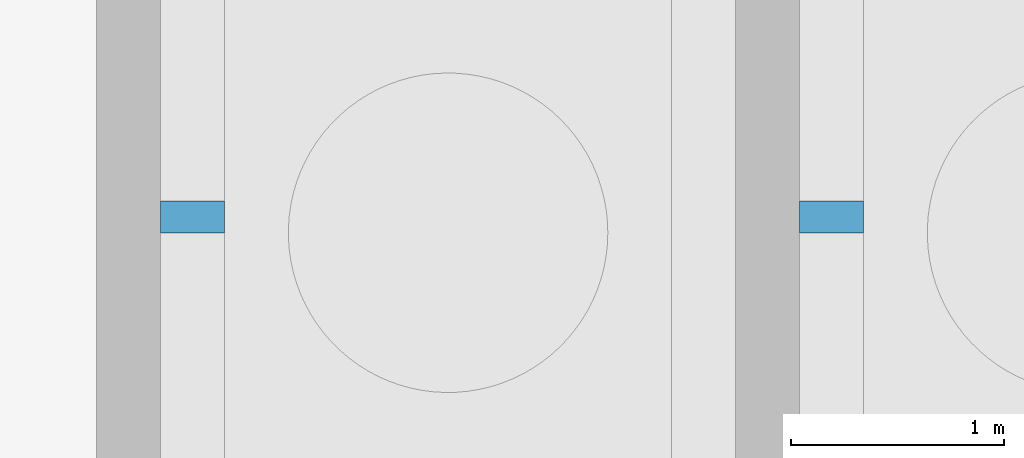
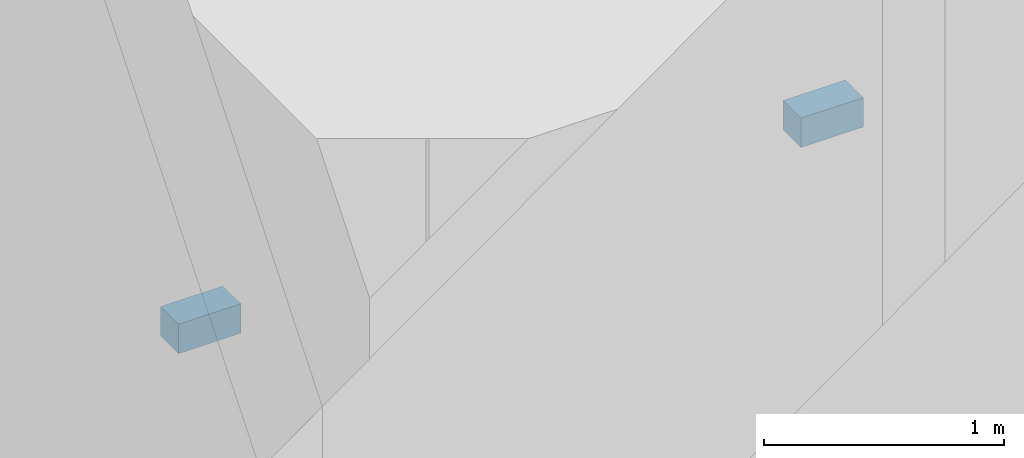
# One storey, part 8 of 10: 2 discrete accessories.
"""IFC4 building model written with IfcOpenShell, lengths in metres."""

import ifcopenshell
import ifcopenshell.guid

model = None  # the IFC model being written
_history = None  # IfcOwnerHistory: only IFC2X3 demands one
_inside = {}  # id of a spatial element -> (the spatial element, [elements in it])
_under = {}  # id of a project, library or spatial element -> (it, [spatial elements below it])
_declared = {}  # id of a project -> (the project, [libraries it declares])
_typed = {}  # id of a type object -> (the type object, [elements of that type])
_made_of = {}  # id of a material, layer set ... -> (it, [elements and type objects made of it])


def new_model(schema):
    """Start an empty IFC model of exactly this schema.

    Asked for "IFC4X3", IfcOpenShell would pick the latest addendum, in which some entities
    have other attributes; the version numbers below select the first issue.
    IFC2X3 requires an IfcOwnerHistory on every rooted entity: one is made here for all.
    """
    global model, _history
    if schema == "IFC4X3":
        model = ifcopenshell.file(schema_version=(4, 3, 0, 0))
    else:
        model = ifcopenshell.file(schema=schema)
    _inside.clear()
    _under.clear()
    _declared.clear()
    _typed.clear()
    _made_of.clear()
    _history = None
    if model.schema == "IFC2X3":
        org = make("IfcOrganization", Name="unknown")
        user = make(
            "IfcPersonAndOrganization",
            ThePerson=make("IfcPerson", FamilyName="unknown"),
            TheOrganization=org,
        )
        app = make(
            "IfcApplication",
            ApplicationDeveloper=org,
            Version="unknown",
            ApplicationFullName="unknown",
            ApplicationIdentifier="unknown",
        )
        _history = make(
            "IfcOwnerHistory",
            OwningUser=user,
            OwningApplication=app,
            ChangeAction="ADDED",
            CreationDate=0,
        )
    return model


def make(cls, **values):
    """One entity of the class cls with the attributes given. An attribute that is None is left unset."""
    return model.create_entity(
        cls, **{name: value for name, value in values.items() if value is not None}
    )


def rooted(cls, **values):
    """An entity with a GlobalId (a new one), such as an element, a storey or a relation."""
    return make(cls, GlobalId=ifcopenshell.guid.new(), OwnerHistory=_history, **values)


def si_unit(unit_type, name, prefix=None):
    """IfcSIUnit, for example si_unit("LENGTHUNIT", "METRE", prefix="MILLI")."""
    return make("IfcSIUnit", UnitType=unit_type, Prefix=prefix, Name=name)


def assignment(units):
    """IfcUnitAssignment: the units of a project."""
    return None if units is None else make("IfcUnitAssignment", Units=units)


def point(xyz):
    """IfcCartesianPoint."""
    return None if xyz is None else make("IfcCartesianPoint", Coordinates=xyz)


def direction(xyz):
    """IfcDirection."""
    return None if xyz is None else make("IfcDirection", DirectionRatios=xyz)


def frame(location, z_axis=None, x_axis=None):
    """IfcAxis2Placement3D, a coordinate frame: its origin and axes. An axis left out is left unset."""
    return make(
        "IfcAxis2Placement3D",
        Location=point(location),
        Axis=direction(z_axis),
        RefDirection=direction(x_axis),
    )


def frame_2d(location, x_axis=None):
    """IfcAxis2Placement2D, a coordinate frame in the plane: its origin and x axis."""
    return make(
        "IfcAxis2Placement2D", Location=point(location), RefDirection=direction(x_axis)
    )


def origin():
    """The frame at (0, 0, 0) with its axes left unset."""
    return frame((0.0, 0.0, 0.0))


def origin_2d():
    """The frame at (0, 0) in the plane with its x axis left unset."""
    return frame_2d((0.0, 0.0))


def place(relative_to, where):
    """IfcLocalPlacement: puts the frame where relative to a parent placement (None: the world)."""
    return make(
        "IfcLocalPlacement", PlacementRelTo=relative_to, RelativePlacement=where
    )


def context(
    kind, dimensions, precision=None, world=None, true_north=None, identifier=None
):
    """IfcGeometricRepresentationContext, for example the 3D "Model" context."""
    return make(
        "IfcGeometricRepresentationContext",
        ContextIdentifier=identifier,
        ContextType=kind,
        CoordinateSpaceDimension=dimensions,
        Precision=precision,
        WorldCoordinateSystem=world,
        TrueNorth=true_north,
    )


def subcontext(parent, identifier, kind, view, scale=None):
    """IfcGeometricRepresentationSubContext, for example "Body" below "Model"."""
    return make(
        "IfcGeometricRepresentationSubContext",
        ContextIdentifier=identifier,
        ContextType=kind,
        ParentContext=parent,
        TargetScale=scale,
        TargetView=view,
    )


def project(units=None, contexts=None):
    """IfcProject with its units and contexts."""
    return rooted(
        "IfcProject",
        Name="project",
        RepresentationContexts=contexts,
        UnitsInContext=assignment(units),
    )


def spatial(cls, under=None, at=None, **own):
    """A site, building, storey or space (cls), placed at a placement, below another one or the project."""
    s = rooted(cls, ObjectPlacement=at, **own)
    if under is not None:
        _under.setdefault(under.id(), (under, []))[1].append(s)
    return s


def profile(cls, at=None, kind="AREA", **sizes):
    """A parametric profile (cls). Its sizes go by their IFC names, for example OverallWidth=200.0."""
    return make(cls, ProfileType=kind, Position=at, **sizes)


def rectangle(**sizes):
    """IfcRectangleProfileDef."""
    return profile("IfcRectangleProfileDef", **sizes)


def extrude(swept, where, along, depth):
    """IfcExtrudedAreaSolid: the profile swept, set in the frame where, extruded along a direction by depth."""
    return make(
        "IfcExtrudedAreaSolid",
        SweptArea=swept,
        Position=where,
        ExtrudedDirection=direction(along),
        Depth=depth,
    )


def shape(context_of_items, identifier, shape_type, items):
    """IfcShapeRepresentation: the items that make up one representation, for example the "Body"."""
    return make(
        "IfcShapeRepresentation",
        ContextOfItems=context_of_items,
        RepresentationIdentifier=identifier,
        RepresentationType=shape_type,
        Items=items,
    )


def made_of(thing, what):
    """Note that an element or type object is made of a material, layer set ...; save() writes the relation."""
    if what is not None:
        _made_of.setdefault(what.id(), (what, []))[1].append(thing)
    return thing


def element(
    cls,
    number,
    at=None,
    inside=None,
    cuts=None,
    type_object=None,
    material=None,
    context=None,
    identifier="Body",
    shape_type=None,
    held_by="IfcProductDefinitionShape",
    body=None,
    shapes=None,
    **own,
):
    """One element of the class cls, such as IfcWall. Its Tag is "e" and its number.

    at: its placement. inside: the storey or other place that contains it. cuts: it is an
    opening in that element (IfcRelVoidsElement). A single representation is given by context,
    identifier, shape_type and body (its items); several are given by shapes. held_by: the class
    of the entity that holds the representations. save() writes the other relations.
    """
    e = rooted(cls, Tag="e%d" % number, ObjectPlacement=at, **own)
    if body is not None:
        shapes = [shape(context, identifier, shape_type, body)]
    if shapes is not None:
        e.Representation = make(held_by, Representations=shapes)
    if inside is not None:
        _inside.setdefault(inside.id(), (inside, []))[1].append(e)
    if cuts is not None:
        rooted(
            "IfcRelVoidsElement", RelatingBuildingElement=cuts, RelatedOpeningElement=e
        )
    if type_object is not None:
        _typed.setdefault(type_object.id(), (type_object, []))[1].append(e)
    return made_of(e, material)


def aggregate(whole, parts):
    """IfcRelAggregates: a whole, such as a stair, and the parts it consists of."""
    return rooted("IfcRelAggregates", RelatingObject=whole, RelatedObjects=parts)


def save(model, path):
    """Write the relations noted so far, then the file.

    IfcRelAggregates (storeys below a building ...), IfcRelContainedInSpatialStructure (elements
    in a storey), IfcRelDefinesByType, IfcRelAssociatesMaterial and IfcRelDeclares: one each for
    every whole, place, type object, material and project.
    """
    for whole, parts in _under.values():
        aggregate(whole, parts)
    for where, things in _inside.values():
        rooted(
            "IfcRelContainedInSpatialStructure",
            RelatedElements=things,
            RelatingStructure=where,
        )
    for kind, things in _typed.values():
        rooted("IfcRelDefinesByType", RelatedObjects=things, RelatingType=kind)
    for what, things in _made_of.values():
        rooted("IfcRelAssociatesMaterial", RelatedObjects=things, RelatingMaterial=what)
    for by, libraries in _declared.values():
        rooted("IfcRelDeclares", RelatingContext=by, RelatedDefinitions=libraries)
    model.write(path)


model = new_model("IFC4")

# Units and contexts
model_context = context("Model", 3, precision=1e-05, world=origin(), true_north=direction((0.0, 1.0)))
body_context = subcontext(model_context, "Body", "Model", "MODEL_VIEW")
ifc_project = project(units=[si_unit("LENGTHUNIT", "METRE"), si_unit("AREAUNIT", "SQUARE_METRE"), si_unit("VOLUMEUNIT", "CUBIC_METRE"), si_unit("PLANEANGLEUNIT", "RADIAN"), si_unit("MASSUNIT", "GRAM", prefix="KILO")], contexts=[model_context])

# Site, building, storey
site_placement = place(None, origin())
site = spatial("IfcSite", under=ifc_project, at=site_placement, CompositionType="ELEMENT")
building_placement = place(site_placement, origin())
building = spatial("IfcBuilding", under=site, at=building_placement, Name="Tskaro Facet Tower", CompositionType="ELEMENT")
storey_placement = place(building_placement, frame((0.0, 0.0, -5.0)))
storey = spatial("IfcBuildingStorey", under=building, at=storey_placement, Name="B1", CompositionType="ELEMENT", Elevation=-5.0)

# Discrete accessories
for number, where, z_axis, x_axis, name in (
    (1, (0.300048828125, -10.22509765625, 1.22509765625), (0.0, 0.0, 1.0), (1.0, 0.0, 0.0), "Car guide bracket SV1"),
    (2, (3.300048828125, -10.22509765625, 1.22509765625), (0.0, 0.0, 1.0), (1.0, 0.0, 0.0), "Car guide bracket SV2"),
):
    element("IfcDiscreteAccessory", number, at=place(storey_placement, frame(where, z_axis=z_axis, x_axis=x_axis)), inside=storey, Name=name, PredefinedType="BRACKET", context=body_context, shape_type="SweptSolid", body=[
        extrude(rectangle(XDim=0.300048828125, YDim=0.14990234375, at=origin_2d()), origin(), (0.0, 0.0, 1.0), 0.14990234375),
    ])

save(model, "model.ifc")
